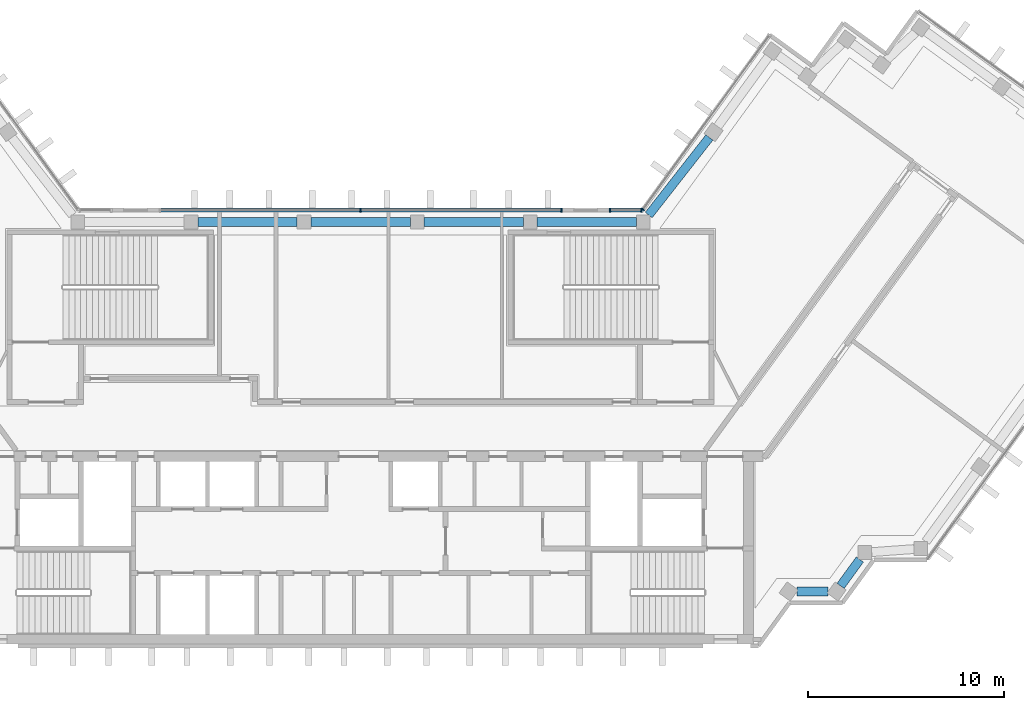
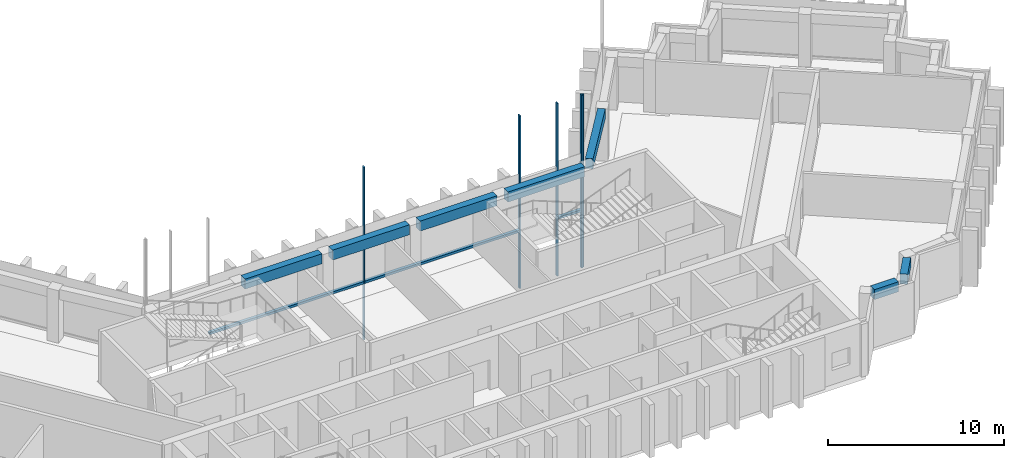
# One storey, part 3 of 14: 8 members, 7 beams, 3 elements without a shape of their own.
"""IFC4 building model written with IfcOpenShell, lengths in metres."""

from ifc_helpers import new_model, si_unit, direction, frame, origin, origin_2d, place, context, subcontext, project, spatial, rectangle, extrude, material, material_profile, profile_set, type_object, element, aggregate, save


model = new_model("IFC4")

# Units and contexts
model_context = context("Model", 3, precision=1e-05, world=origin(), true_north=direction((0.0, 1.0)))
body_context = subcontext(model_context, "Body", "Model", "MODEL_VIEW")
ifc_project = project(units=[si_unit("LENGTHUNIT", "METRE"), si_unit("AREAUNIT", "SQUARE_METRE"), si_unit("VOLUMEUNIT", "CUBIC_METRE"), si_unit("PLANEANGLEUNIT", "RADIAN"), si_unit("MASSUNIT", "GRAM", prefix="KILO")], contexts=[model_context])

# Site, building, storey
site_placement = place(None, origin())
site = spatial("IfcSite", under=ifc_project, at=site_placement, CompositionType="ELEMENT")
building_placement = place(site_placement, origin())
building = spatial("IfcBuilding", under=site, at=building_placement, Name="Quipu Civic Tower", CompositionType="ELEMENT")
storey_placement = place(building_placement, frame((0.0, 0.0, 335.0)))
storey = spatial("IfcBuildingStorey", under=building, at=storey_placement, Name="L78", CompositionType="ELEMENT", Elevation=335.0)

# Curtain wall, member
ifc_material_1 = material(Name="Insulated glass unit", Category="glass")
curtain_wall_type = type_object("IfcCurtainWallType", Name="Office curtain wall CW1", PredefinedType="NOTDEFINED", material=ifc_material_1)
curtain_wall_1_placement = place(storey_placement, origin())
curtain_wall_1 = element("IfcCurtainWall", 1, at=curtain_wall_1_placement, inside=storey, type_object=curtain_wall_type, Name="Office curtain wall CW1 L77 run 26", PredefinedType="NOTDEFINED")
ifc_material_2 = material(Name="Anodised aluminium", Category="aluminium")
ifc_material_profile_1 = material_profile(ifc_material_2, rectangle(XDim=0.199951171875, YDim=0.080078125, at=origin_2d()), Name="RECT 200x80")
ifc_profile_set_1 = profile_set([ifc_material_profile_1], Name="Anodised aluminium")
member_type_1 = type_object("IfcMemberType", Name="Mullion CW1", PredefinedType="MULLION", material=ifc_profile_set_1)
member_1_placement = place(storey_placement, frame((14.36767578125, 11.13232421875, -3.919921875), z_axis=(0.0, 0.0, 1.0), x_axis=(0.809015163947, -0.587787771652, 0.0)))
member_1 = element("IfcMember", 2, at=member_1_placement, type_object=member_type_1, Name="CW1 mullion 2", PredefinedType="MULLION", context=body_context, shape_type="SweptSolid", body=[
    extrude(rectangle(XDim=0.199951171875, YDim=0.080078125, at=origin_2d()), origin(), (0.0, 0.0, 1.0), 12.0),
])
aggregate(curtain_wall_1, [member_1])

# Curtain wall, members
curtain_wall_2_placement = place(storey_placement, origin())
curtain_wall_2 = element("IfcCurtainWall", 3, at=curtain_wall_2_placement, inside=storey, type_object=curtain_wall_type, Name="Office curtain wall CW1 L77 run 27", PredefinedType="NOTDEFINED")
member_2_placement = place(storey_placement, frame((14.30419921875, 11.10009765625, -3.919921875), z_axis=(0.0, 0.0, 1.0), x_axis=(0.0, -1.0, 0.0)))
member_2 = element("IfcMember", 4, at=member_2_placement, type_object=member_type_1, Name="CW1 mullion 1", PredefinedType="MULLION", context=body_context, shape_type="SweptSolid", body=[
    extrude(rectangle(XDim=0.199951171875, YDim=0.080078125, at=origin_2d()), origin(), (0.0, 0.0, 1.0), 12.0),
])
member_3_placement = place(storey_placement, frame((12.695068359375, 11.10009765625, -3.919921875), z_axis=(0.0, 0.0, 1.0), x_axis=(0.0, -1.0, 0.0)))
member_3 = element("IfcMember", 5, at=member_3_placement, type_object=member_type_1, Name="CW1 mullion 2", PredefinedType="MULLION", context=body_context, shape_type="SweptSolid", body=[
    extrude(rectangle(XDim=0.199951171875, YDim=0.080078125, at=origin_2d()), origin(), (0.0, 0.0, 1.0), 12.0),
])

curtain_wall_3_placement = place(storey_placement, origin())
curtain_wall_3 = element("IfcCurtainWall", 6, at=curtain_wall_3_placement, inside=storey, type_object=curtain_wall_type, Name="Office curtain wall CW1 L77 run 29", PredefinedType="NOTDEFINED")
member_4_placement = place(storey_placement, frame((10.223388671875, 11.10009765625, -3.919921875), z_axis=(0.0, 0.0, 1.0), x_axis=(0.0, -1.0, 0.0)))
member_4 = element("IfcMember", 7, at=member_4_placement, type_object=member_type_1, Name="CW1 mullion 1", PredefinedType="MULLION", context=body_context, shape_type="SweptSolid", body=[
    extrude(rectangle(XDim=0.199951171875, YDim=0.080078125, at=origin_2d()), origin(), (0.0, 0.0, 1.0), 12.0),
])
member_5_placement = place(storey_placement, frame((0.0, 11.10009765625, -3.919921875), z_axis=(0.0, 0.0, 1.0), x_axis=(0.0, -1.0, 0.0)))
member_5 = element("IfcMember", 8, at=member_5_placement, type_object=member_type_1, Name="CW1 mullion 2", PredefinedType="MULLION", context=body_context, shape_type="SweptSolid", body=[
    extrude(rectangle(XDim=0.199951171875, YDim=0.080078125, at=origin_2d()), origin(), (0.0, 0.0, 1.0), 12.0),
])

# Beams
ifc_material_3 = material(Name="Concrete C50/60", Category="concrete")
ifc_material_profile_2 = material_profile(ifc_material_3, rectangle(XDim=0.449951171875, YDim=0.699951171875, at=origin_2d()), Name="RC450x700")
ifc_profile_set_2 = profile_set([ifc_material_profile_2], Name="Concrete C50/60")
beam_type = type_object("IfcBeamType", Name="Spandrel beam RC 450x700 C50/60", PredefinedType="SPANDREL", material=ifc_profile_set_2)
beam_1_placement = place(storey_placement, frame((22.224365234375, -8.31494140625, 3.300048828125), z_axis=(1.0, 0.0, 0.0), x_axis=(0.0, 1.0, 0.0)))
element("IfcBeam", 9, at=beam_1_placement, inside=storey, type_object=beam_type, Name="Spandrel beam L78 J-Eo.1 to J-Eo.2", PredefinedType="SPANDREL", context=body_context, shape_type="SweptSolid", body=[
    extrude(rectangle(XDim=0.449951171875, YDim=0.699951171875, at=origin_2d()), origin(), (0.0, 0.0, 1.0), 1.578125),
])
beam_2_placement = place(storey_placement, frame((24.44091796875, -8.031982421875, 3.300048828125), z_axis=(0.588407300614, 0.80856468423, 0.0), x_axis=(-0.80856468423, 0.588407300614, 0.0)))
element("IfcBeam", 10, at=beam_2_placement, inside=storey, type_object=beam_type, Name="Spandrel beam L78 J-Eo.2 to J-Eo.3", PredefinedType="SPANDREL", context=body_context, shape_type="SweptSolid", body=[
    extrude(rectangle(XDim=0.449951171875, YDim=0.699951171875, at=origin_2d()), origin(), (0.0, 0.0, 1.0), 1.663330078125),
])
beam_3_placement = place(storey_placement, frame((17.7578125, 14.799072265625, 3.300048828125), z_axis=(-0.616106034519, -0.787663223865, 0.0), x_axis=(0.787663223865, -0.616106034519, 0.0)))
element("IfcBeam", 11, at=beam_3_placement, inside=storey, type_object=beam_type, Name="Spandrel beam L78 E-IN-01 to J-Ei.0", PredefinedType="SPANDREL", context=body_context, shape_type="SweptSolid", body=[
    extrude(rectangle(XDim=0.449951171875, YDim=0.699951171875, at=origin_2d()), origin(), (0.0, 0.0, 1.0), 5.013427734375),
])
for number, where, z_axis, x_axis, name in (
    (12, (14.045166015625, 10.5, 3.300048828125), (-1.0, 0.0, 0.0), (0.0, -1.0, 0.0), "Spandrel beam L78 J-Ei.0 to FRONT-01"),
    (13, (8.287109375, 10.5, 3.300048828125), (-1.0, 0.0, 0.0), (0.0, -1.0, 0.0), "Spandrel beam L78 FRONT-01 to FRONT-02"),
    (14, (2.529052734375, 10.5, 3.300048828125), (-1.0, 0.0, 0.0), (0.0, -1.0, 0.0), "Spandrel beam L78 FRONT-02 to FRONT-03"),
    (15, (-3.22900390625, 10.5, 3.300048828125), (-1.0, 0.0, 0.0), (0.0, -1.0, 0.0), "Spandrel beam L78 FRONT-03 to FRONT-04"),
):
    element("IfcBeam", number, at=place(storey_placement, frame(where, z_axis=z_axis, x_axis=x_axis)), inside=storey, type_object=beam_type, Name=name, PredefinedType="SPANDREL", context=body_context, shape_type="SweptSolid", body=[
        extrude(rectangle(XDim=0.449951171875, YDim=0.699951171875, at=origin_2d()), origin(), (0.0, 0.0, 1.0), 5.05810546875),
    ])

# Member
ifc_material_4 = material(Name="Anodised aluminium", Category="aluminium")
ifc_material_profile_3 = material_profile(ifc_material_4, rectangle(XDim=0.199951171875, YDim=0.159912109375, at=origin_2d()), Name="RECT 200x160")
ifc_profile_set_3 = profile_set([ifc_material_profile_3], Name="Anodised aluminium")
member_type_2 = type_object("IfcMemberType", Name="Transom CW1", PredefinedType="USERDEFINED", material=ifc_profile_set_3)
member_6_placement = place(storey_placement, frame((14.26416015625, 11.10009765625, 0.080078125), z_axis=(-1.0, 0.0, 0.0), x_axis=(0.0, -1.0, 0.0)))
member_6 = element("IfcMember", 16, at=member_6_placement, type_object=member_type_2, Name="CW1 transom 1.2", ObjectType="TRANSOM", PredefinedType="USERDEFINED", context=body_context, shape_type="SweptSolid", body=[
    extrude(rectangle(XDim=0.199951171875, YDim=0.159912109375, at=origin_2d()), origin(), (0.0, 0.0, 1.0), 1.529052734375),
])

aggregate(curtain_wall_2, [member_2, member_3, member_6])

member_7_placement = place(storey_placement, frame((10.18359375, 11.10009765625, 0.080078125), z_axis=(-1.0, 0.0, 0.0), x_axis=(0.0, -1.0, 0.0)))
member_7 = element("IfcMember", 17, at=member_7_placement, type_object=member_type_2, Name="CW1 transom 1.2", ObjectType="TRANSOM", PredefinedType="USERDEFINED", context=body_context, shape_type="SweptSolid", body=[
    extrude(rectangle(XDim=0.199951171875, YDim=0.159912109375, at=origin_2d()), origin(), (0.0, 0.0, 1.0), 10.1435546875),
])

member_8_placement = place(storey_placement, frame((-0.0400390625, 11.10009765625, 0.080078125), z_axis=(-1.0, 0.0, 0.0), x_axis=(0.0, -1.0, 0.0)))
member_8 = element("IfcMember", 18, at=member_8_placement, type_object=member_type_2, Name="CW1 transom 2.2", ObjectType="TRANSOM", PredefinedType="USERDEFINED", context=body_context, shape_type="SweptSolid", body=[
    extrude(rectangle(XDim=0.199951171875, YDim=0.159912109375, at=origin_2d()), origin(), (0.0, 0.0, 1.0), 10.1435546875),
])

aggregate(curtain_wall_3, [member_4, member_5, member_7, member_8])

save(model, "model.ifc")
